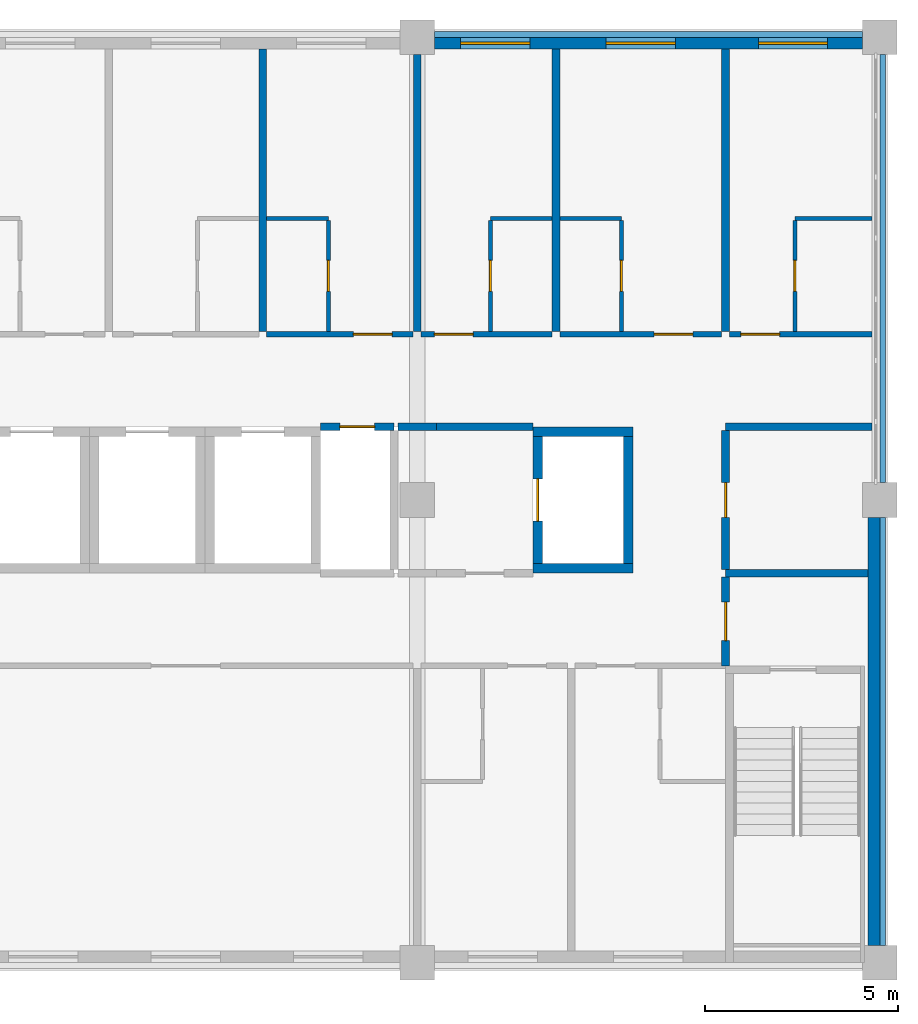
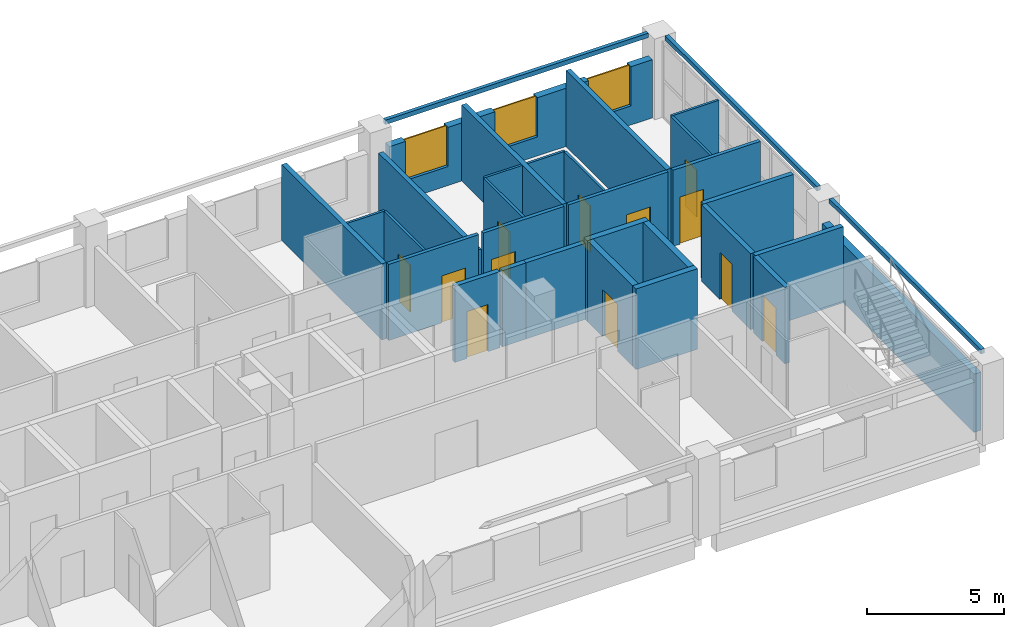
# One storey, part 9 of 11: 32 walls, 12 doors, 3 windows, 15 openings.
"""IFC4 building model written with IfcOpenShell, lengths in metres."""

from ifc_helpers import new_model, si_unit, direction, frame, frame_2d, origin, place, context, subcontext, project, spatial, rectangle, extrude, material, layer, layer_set, type_object, element, fill, save


model = new_model("IFC4")

# Units and contexts
model_context = context("Model", 3, precision=1e-05, world=origin(), true_north=direction((0.0, 1.0)))
body_context = subcontext(model_context, "Body", "Model", "MODEL_VIEW")
ifc_project = project(units=[si_unit("LENGTHUNIT", "METRE"), si_unit("AREAUNIT", "SQUARE_METRE"), si_unit("VOLUMEUNIT", "CUBIC_METRE"), si_unit("PLANEANGLEUNIT", "RADIAN"), si_unit("MASSUNIT", "GRAM", prefix="KILO")], contexts=[model_context])

# Site, building, storey
site_placement = place(None, origin())
site = spatial("IfcSite", under=ifc_project, at=site_placement, CompositionType="ELEMENT")
building_placement = place(site_placement, origin())
building = spatial("IfcBuilding", under=site, at=building_placement, Name="Lilac Gate Convention Centre", CompositionType="ELEMENT")
storey_placement = place(building_placement, frame((0.0, 0.0, 31.800048828125)))
storey = spatial("IfcBuildingStorey", under=building, at=storey_placement, Name="L07", CompositionType="ELEMENT", Elevation=31.800048828125)

# Walls
ifc_material_1 = material(Name="Concrete C50", Category="concrete")
ifc_layer_1 = layer(ifc_material_1, 0.25)
ifc_layer_set_1 = layer_set([ifc_layer_1], Name="Concrete C50")
wall_type_1 = type_object("IfcWallType", Name="Core wall 250 C50", PredefinedType="SHEAR", material=ifc_layer_set_1)
for number, where, z_axis, x_axis, name in (
    (1, (81.0, 232.22509765625, 0.0), (0.0, 0.0, 1.0), (1.0, 0.0, 0.0), "CRW4 core wall TC L07 33"),
    (2, (81.0, 235.77490234375, 0.0), (0.0, 0.0, 1.0), (1.0, 0.0, 0.0), "CRW4 core wall TC L07 34"),
):
    element("IfcWall", number, at=place(storey_placement, frame(where, z_axis=z_axis, x_axis=x_axis)), inside=storey, type_object=wall_type_1, Name=name, PredefinedType="SHEAR", context=body_context, shape_type="SweptSolid", body=[
        extrude(rectangle(XDim=2.60009765625, YDim=0.25, at=frame_2d((1.300048828125, 0.0))), origin(), (0.0, 0.0, 1.0), 3.599853515625),
    ])

# Wall, opening, door
wall_1_placement = place(storey_placement, frame((81.125, 232.35009765625, 0.0), z_axis=(0.0, 0.0, 1.0), x_axis=(0.0, 1.0, 0.0)))
wall_1 = element("IfcWall", 3, at=wall_1_placement, inside=storey, type_object=wall_type_1, Name="CRW4 core wall TC L07 35", PredefinedType="SHEAR", context=body_context, shape_type="SweptSolid", body=[
    extrude(rectangle(XDim=3.2998046875, YDim=0.25, at=frame_2d((1.64990234375, 0.0))), origin(), (0.0, 0.0, 1.0), 3.599853515625),
])
opening_1_placement = place(wall_1_placement, frame((1.10009765625, 0.0, 0.0)))
opening_1 = element("IfcOpeningElement", 4, at=opening_1_placement, cuts=wall_1, Name="Opening T07-044", PredefinedType="OPENING", context=body_context, shape_type="SweptSolid", body=[
    extrude(rectangle(XDim=1.10009765625, YDim=2.10009765625, at=frame_2d((0.550048828125, 1.050048828125))), frame((0.0, 0.135009765625, 0.0), z_axis=(0.0, -1.0, 0.0), x_axis=(1.0, 0.0, 0.0)), (0.0, 0.0, 1.0), 0.27001953125),
])
ifc_material_2 = material(Name="Stainless steel 304", Category="steel")
door_type_1 = type_object("IfcDoorType", Name="Lift landing door 1100", OperationType="SLIDING_TO_LEFT", PredefinedType="DOOR", material=ifc_material_2)
door_1_placement = place(opening_1_placement, origin())
door_1 = element("IfcDoor", 5, at=door_1_placement, inside=storey, type_object=door_type_1, Name="Lift landing door TF1 L07", OperationType="SLIDING_TO_LEFT", OverallHeight=2.10009765625, OverallWidth=1.10009765625, PredefinedType="DOOR", context=body_context, shape_type="SweptSolid", body=[
    extrude(rectangle(XDim=1.10009765625, YDim=2.10009765625, at=frame_2d((0.550048828125, 1.050048828125))), frame((0.0, 0.02490234375, 0.0), z_axis=(0.0, -1.0, 0.0), x_axis=(1.0, 0.0, 0.0)), (0.0, 0.0, 1.0), 0.050048828125),
])
fill(opening_1, door_1)

# Wall
wall_2_placement = place(storey_placement, frame((83.47509765625, 232.35009765625, 0.0), z_axis=(0.0, 0.0, 1.0), x_axis=(0.0, 1.0, 0.0)))
element("IfcWall", 6, at=wall_2_placement, inside=storey, type_object=wall_type_1, Name="CRW4 core wall TC L07 36", PredefinedType="SHEAR", context=body_context, shape_type="SweptSolid", body=[
    extrude(rectangle(XDim=3.2998046875, YDim=0.25, at=frame_2d((1.64990234375, 0.0))), origin(), (0.0, 0.0, 1.0), 3.599853515625),
])

# Wall, opening, door
ifc_material_3 = material(Name="Gypsum board on steel stud", Category="steel")
ifc_layer_2 = layer(ifc_material_3, 0.14990234375)
ifc_layer_set_2 = layer_set([ifc_layer_2], Name="Gypsum board on steel stud")
wall_type_2 = type_object("IfcWallType", Name="Corridor wall 150", PredefinedType="PARTITIONING", material=ifc_layer_set_2)
wall_3_placement = place(storey_placement, frame((74.10009765625, 238.300048828125, 0.0), z_axis=(0.0, 0.0, 1.0), x_axis=(1.0, 0.0, 0.0)))
wall_3 = element("IfcWall", 7, at=wall_3_placement, inside=storey, type_object=wall_type_2, Name="Corridor wall 150 front 0713", PredefinedType="PARTITIONING", context=body_context, shape_type="SweptSolid", body=[
    extrude(rectangle(XDim=3.7998046875, YDim=0.14990234375, at=frame_2d((1.89990234375, 0.0))), origin(), (0.0, 0.0, 1.0), 3.39990234375),
])
opening_2_placement = place(wall_3_placement, frame((2.25, 0.0, 0.0)))
opening_2 = element("IfcOpeningElement", 8, at=opening_2_placement, cuts=wall_3, Name="Opening T07-028", PredefinedType="OPENING", context=body_context, shape_type="SweptSolid", body=[
    extrude(rectangle(XDim=1.0, YDim=2.10009765625, at=frame_2d((0.5, 1.050048828125))), frame((0.0, 0.0849609375, 0.0), z_axis=(0.0, -1.0, 0.0), x_axis=(1.0, 0.0, 0.0)), (0.0, 0.0, 1.0), 0.169921875),
])
ifc_material_4 = material(Name="Timber", Category="wood")
door_type_2 = type_object("IfcDoorType", Name="Guest room entrance door 1000", OperationType="SINGLE_SWING_LEFT", PredefinedType="DOOR", material=ifc_material_4)
door_2_placement = place(opening_2_placement, origin())
door_2 = element("IfcDoor", 9, at=door_2_placement, inside=storey, type_object=door_type_2, Name="Guest room door 0713", OperationType="SINGLE_SWING_LEFT", OverallHeight=2.10009765625, OverallWidth=1.0, PredefinedType="DOOR", context=body_context, shape_type="SweptSolid", body=[
    extrude(rectangle(XDim=1.0, YDim=2.10009765625, at=frame_2d((0.5, 1.050048828125))), frame((0.0, 0.02490234375, 0.0), z_axis=(0.0, -1.0, 0.0), x_axis=(1.0, 0.0, 0.0)), (0.0, 0.0, 1.0), 0.050048828125),
])
fill(opening_2, door_2)

wall_4_placement = place(storey_placement, frame((78.10009765625, 238.300048828125, 0.0), z_axis=(0.0, 0.0, 1.0), x_axis=(1.0, 0.0, 0.0)))
wall_4 = element("IfcWall", 10, at=wall_4_placement, inside=storey, type_object=wall_type_2, Name="Corridor wall 150 front 0714", PredefinedType="PARTITIONING", context=body_context, shape_type="SweptSolid", body=[
    extrude(rectangle(XDim=3.39990234375, YDim=0.14990234375, at=frame_2d((1.699951171875, 0.0))), origin(), (0.0, 0.0, 1.0), 3.39990234375),
])
opening_3_placement = place(wall_4_placement, frame((0.35009765625, 0.0, 0.0)))
opening_3 = element("IfcOpeningElement", 11, at=opening_3_placement, cuts=wall_4, Name="Opening T07-030", PredefinedType="OPENING", context=body_context, shape_type="SweptSolid", body=[
    extrude(rectangle(XDim=1.0, YDim=2.10009765625, at=frame_2d((0.5, 1.050048828125))), frame((0.0, 0.0849609375, 0.0), z_axis=(0.0, -1.0, 0.0), x_axis=(1.0, 0.0, 0.0)), (0.0, 0.0, 1.0), 0.169921875),
])
door_3_placement = place(opening_3_placement, origin())
door_3 = element("IfcDoor", 12, at=door_3_placement, inside=storey, type_object=door_type_2, Name="Guest room door 0714", OperationType="SINGLE_SWING_LEFT", OverallHeight=2.10009765625, OverallWidth=1.0, PredefinedType="DOOR", context=body_context, shape_type="SweptSolid", body=[
    extrude(rectangle(XDim=1.0, YDim=2.10009765625, at=frame_2d((0.5, 1.050048828125))), frame((0.0, 0.02490234375, 0.0), z_axis=(0.0, -1.0, 0.0), x_axis=(1.0, 0.0, 0.0)), (0.0, 0.0, 1.0), 0.050048828125),
])
fill(opening_3, door_3)

wall_5_placement = place(storey_placement, frame((81.699951171875, 238.300048828125, 0.0), z_axis=(0.0, 0.0, 1.0), x_axis=(1.0, 0.0, 0.0)))
wall_5 = element("IfcWall", 13, at=wall_5_placement, inside=storey, type_object=wall_type_2, Name="Corridor wall 150 front 0715", PredefinedType="PARTITIONING", context=body_context, shape_type="SweptSolid", body=[
    extrude(rectangle(XDim=4.199951171875, YDim=0.14990234375, at=frame_2d((2.10009765625, 0.0))), origin(), (0.0, 0.0, 1.0), 3.39990234375),
])
opening_4_placement = place(wall_5_placement, frame((2.449951171875, 0.0, 0.0)))
opening_4 = element("IfcOpeningElement", 14, at=opening_4_placement, cuts=wall_5, Name="Opening T07-032", PredefinedType="OPENING", context=body_context, shape_type="SweptSolid", body=[
    extrude(rectangle(XDim=1.0, YDim=2.10009765625, at=frame_2d((0.5, 1.050048828125))), frame((0.0, 0.0849609375, 0.0), z_axis=(0.0, -1.0, 0.0), x_axis=(1.0, 0.0, 0.0)), (0.0, 0.0, 1.0), 0.169921875),
])
door_4_placement = place(opening_4_placement, origin())
door_4 = element("IfcDoor", 15, at=door_4_placement, inside=storey, type_object=door_type_2, Name="Guest room door 0715", OperationType="SINGLE_SWING_RIGHT", OverallHeight=2.10009765625, OverallWidth=1.0, PredefinedType="DOOR", context=body_context, shape_type="SweptSolid", body=[
    extrude(rectangle(XDim=1.0, YDim=2.10009765625, at=frame_2d((0.5, 1.050048828125))), frame((0.0, 0.02490234375, 0.0), z_axis=(0.0, -1.0, 0.0), x_axis=(1.0, 0.0, 0.0)), (0.0, 0.0, 1.0), 0.050048828125),
])
fill(opening_4, door_4)

wall_6_placement = place(storey_placement, frame((86.10009765625, 238.300048828125, 0.0), z_axis=(0.0, 0.0, 1.0), x_axis=(1.0, 0.0, 0.0)))
wall_6 = element("IfcWall", 16, at=wall_6_placement, inside=storey, type_object=wall_type_2, Name="Corridor wall 150 front 0716", PredefinedType="PARTITIONING", context=body_context, shape_type="SweptSolid", body=[
    extrude(rectangle(XDim=3.69970703125, YDim=0.14990234375, at=frame_2d((1.849853515625, 0.0))), origin(), (0.0, 0.0, 1.0), 3.39990234375),
])
opening_5_placement = place(wall_6_placement, frame((0.300048828125, 0.0, 0.0)))
opening_5 = element("IfcOpeningElement", 17, at=opening_5_placement, cuts=wall_6, Name="Opening T07-034", PredefinedType="OPENING", context=body_context, shape_type="SweptSolid", body=[
    extrude(rectangle(XDim=1.0, YDim=2.10009765625, at=frame_2d((0.5, 1.050048828125))), frame((0.0, 0.0849609375, 0.0), z_axis=(0.0, -1.0, 0.0), x_axis=(1.0, 0.0, 0.0)), (0.0, 0.0, 1.0), 0.169921875),
])
door_5_placement = place(opening_5_placement, origin())
door_5 = element("IfcDoor", 18, at=door_5_placement, inside=storey, type_object=door_type_2, Name="Guest room door 0716", OperationType="SINGLE_SWING_LEFT", OverallHeight=2.10009765625, OverallWidth=1.0, PredefinedType="DOOR", context=body_context, shape_type="SweptSolid", body=[
    extrude(rectangle(XDim=1.0, YDim=2.10009765625, at=frame_2d((0.5, 1.050048828125))), frame((0.0, 0.02490234375, 0.0), z_axis=(0.0, -1.0, 0.0), x_axis=(1.0, 0.0, 0.0)), (0.0, 0.0, 1.0), 0.050048828125),
])
fill(opening_5, door_5)

# Wall
ifc_layer_3 = layer(ifc_material_3, 0.10009765625)
ifc_layer_set_3 = layer_set([ifc_layer_3], Name="Gypsum board on steel stud")
wall_type_3 = type_object("IfcWallType", Name="En-suite wall 100", PredefinedType="PARTITIONING", material=ifc_layer_set_3)
wall_7_placement = place(storey_placement, frame((74.10009765625, 241.300048828125, 0.0), z_axis=(0.0, 0.0, 1.0), x_axis=(1.0, 0.0, 0.0)))
element("IfcWall", 19, at=wall_7_placement, inside=storey, type_object=wall_type_3, Name="En-suite wall 100 bath 0713", PredefinedType="PARTITIONING", context=body_context, shape_type="SweptSolid", body=[
    extrude(rectangle(XDim=1.599853515625, YDim=0.10009765625, at=frame_2d((0.7998046875, 0.0))), origin(), (0.0, 0.0, 1.0), 3.39990234375),
])

# Wall, opening, door
wall_8_placement = place(storey_placement, frame((75.699951171875, 241.25, 0.0), z_axis=(0.0, 0.0, 1.0), x_axis=(0.0, -1.0, 0.0)))
wall_8 = element("IfcWall", 20, at=wall_8_placement, inside=storey, type_object=wall_type_3, Name="En-suite wall 100 bath side 0713", PredefinedType="PARTITIONING", context=body_context, shape_type="SweptSolid", body=[
    extrude(rectangle(XDim=2.875, YDim=0.10009765625, at=frame_2d((1.4375, 0.0))), origin(), (0.0, 0.0, 1.0), 3.39990234375),
])
opening_6_placement = place(wall_8_placement, frame((1.03759765625, 0.0, 0.0)))
opening_6 = element("IfcOpeningElement", 21, at=opening_6_placement, cuts=wall_8, Name="Opening T07-029", PredefinedType="OPENING", context=body_context, shape_type="SweptSolid", body=[
    extrude(rectangle(XDim=0.800048828125, YDim=2.10009765625, at=frame_2d((0.39990234375, 1.050048828125))), frame((0.0, 0.06005859375, 0.0), z_axis=(0.0, -1.0, 0.0), x_axis=(1.0, 0.0, 0.0)), (0.0, 0.0, 1.0), 0.1201171875),
])
door_type_3 = type_object("IfcDoorType", Name="En-suite door 800", OperationType="SINGLE_SWING_LEFT", PredefinedType="DOOR", material=ifc_material_4)
door_6_placement = place(opening_6_placement, origin())
door_6 = element("IfcDoor", 22, at=door_6_placement, inside=storey, type_object=door_type_3, Name="En-suite door 0713", OperationType="SINGLE_SWING_RIGHT", OverallHeight=2.10009765625, OverallWidth=0.800048828125, PredefinedType="DOOR", context=body_context, shape_type="SweptSolid", body=[
    extrude(rectangle(XDim=0.800048828125, YDim=2.10009765625, at=frame_2d((0.39990234375, 1.050048828125))), frame((0.0, 0.02490234375, 0.0), z_axis=(0.0, -1.0, 0.0), x_axis=(1.0, 0.0, 0.0)), (0.0, 0.0, 1.0), 0.050048828125),
])
fill(opening_6, door_6)

# Wall
wall_9_placement = place(storey_placement, frame((79.89990234375, 241.300048828125, 0.0), z_axis=(0.0, 0.0, 1.0), x_axis=(1.0, 0.0, 0.0)))
element("IfcWall", 23, at=wall_9_placement, inside=storey, type_object=wall_type_3, Name="En-suite wall 100 bath 0714", PredefinedType="PARTITIONING", context=body_context, shape_type="SweptSolid", body=[
    extrude(rectangle(XDim=1.60009765625, YDim=0.10009765625, at=frame_2d((0.800048828125, 0.0))), origin(), (0.0, 0.0, 1.0), 3.39990234375),
])

# Wall, opening, door
wall_10_placement = place(storey_placement, frame((79.89990234375, 238.375, 0.0), z_axis=(0.0, 0.0, 1.0), x_axis=(0.0, 1.0, 0.0)))
wall_10 = element("IfcWall", 24, at=wall_10_placement, inside=storey, type_object=wall_type_3, Name="En-suite wall 100 bath side 0714", PredefinedType="PARTITIONING", context=body_context, shape_type="SweptSolid", body=[
    extrude(rectangle(XDim=2.875, YDim=0.10009765625, at=frame_2d((1.4375, 0.0))), origin(), (0.0, 0.0, 1.0), 3.39990234375),
])
opening_7_placement = place(wall_10_placement, frame((1.03759765625, 0.0, 0.0)))
opening_7 = element("IfcOpeningElement", 25, at=opening_7_placement, cuts=wall_10, Name="Opening T07-031", PredefinedType="OPENING", context=body_context, shape_type="SweptSolid", body=[
    extrude(rectangle(XDim=0.800048828125, YDim=2.10009765625, at=frame_2d((0.39990234375, 1.050048828125))), frame((0.0, 0.06005859375, 0.0), z_axis=(0.0, -1.0, 0.0), x_axis=(1.0, 0.0, 0.0)), (0.0, 0.0, 1.0), 0.1201171875),
])
door_7_placement = place(opening_7_placement, origin())
door_7 = element("IfcDoor", 26, at=door_7_placement, inside=storey, type_object=door_type_3, Name="En-suite door 0714", OperationType="SINGLE_SWING_LEFT", OverallHeight=2.10009765625, OverallWidth=0.800048828125, PredefinedType="DOOR", context=body_context, shape_type="SweptSolid", body=[
    extrude(rectangle(XDim=0.800048828125, YDim=2.10009765625, at=frame_2d((0.39990234375, 1.050048828125))), frame((0.0, 0.02490234375, 0.0), z_axis=(0.0, -1.0, 0.0), x_axis=(1.0, 0.0, 0.0)), (0.0, 0.0, 1.0), 0.050048828125),
])
fill(opening_7, door_7)

# Wall
wall_11_placement = place(storey_placement, frame((81.699951171875, 241.300048828125, 0.0), z_axis=(0.0, 0.0, 1.0), x_axis=(1.0, 0.0, 0.0)))
element("IfcWall", 27, at=wall_11_placement, inside=storey, type_object=wall_type_3, Name="En-suite wall 100 bath 0715", PredefinedType="PARTITIONING", context=body_context, shape_type="SweptSolid", body=[
    extrude(rectangle(XDim=1.60009765625, YDim=0.10009765625, at=frame_2d((0.800048828125, 0.0))), origin(), (0.0, 0.0, 1.0), 3.39990234375),
])

# Wall, opening, door
wall_12_placement = place(storey_placement, frame((83.300048828125, 241.25, 0.0), z_axis=(0.0, 0.0, 1.0), x_axis=(0.0, -1.0, 0.0)))
wall_12 = element("IfcWall", 28, at=wall_12_placement, inside=storey, type_object=wall_type_3, Name="En-suite wall 100 bath side 0715", PredefinedType="PARTITIONING", context=body_context, shape_type="SweptSolid", body=[
    extrude(rectangle(XDim=2.875, YDim=0.10009765625, at=frame_2d((1.4375, 0.0))), origin(), (0.0, 0.0, 1.0), 3.39990234375),
])
opening_8_placement = place(wall_12_placement, frame((1.03759765625, 0.0, 0.0)))
opening_8 = element("IfcOpeningElement", 29, at=opening_8_placement, cuts=wall_12, Name="Opening T07-033", PredefinedType="OPENING", context=body_context, shape_type="SweptSolid", body=[
    extrude(rectangle(XDim=0.800048828125, YDim=2.10009765625, at=frame_2d((0.39990234375, 1.050048828125))), frame((0.0, 0.06005859375, 0.0), z_axis=(0.0, -1.0, 0.0), x_axis=(1.0, 0.0, 0.0)), (0.0, 0.0, 1.0), 0.1201171875),
])
door_8_placement = place(opening_8_placement, origin())
door_8 = element("IfcDoor", 30, at=door_8_placement, inside=storey, type_object=door_type_3, Name="En-suite door 0715", OperationType="SINGLE_SWING_RIGHT", OverallHeight=2.10009765625, OverallWidth=0.800048828125, PredefinedType="DOOR", context=body_context, shape_type="SweptSolid", body=[
    extrude(rectangle(XDim=0.800048828125, YDim=2.10009765625, at=frame_2d((0.39990234375, 1.050048828125))), frame((0.0, 0.02490234375, 0.0), z_axis=(0.0, -1.0, 0.0), x_axis=(1.0, 0.0, 0.0)), (0.0, 0.0, 1.0), 0.050048828125),
])
fill(opening_8, door_8)

# Wall
wall_13_placement = place(storey_placement, frame((87.800048828125, 241.300048828125, 0.0), z_axis=(0.0, 0.0, 1.0), x_axis=(1.0, 0.0, 0.0)))
element("IfcWall", 31, at=wall_13_placement, inside=storey, type_object=wall_type_3, Name="En-suite wall 100 bath 0716", PredefinedType="PARTITIONING", context=body_context, shape_type="SweptSolid", body=[
    extrude(rectangle(XDim=1.999755859375, YDim=0.10009765625, at=frame_2d((1.0, 0.0))), origin(), (0.0, 0.0, 1.0), 3.39990234375),
])

# Wall, opening, door
wall_14_placement = place(storey_placement, frame((87.800048828125, 238.375, 0.0), z_axis=(0.0, 0.0, 1.0), x_axis=(0.0, 1.0, 0.0)))
wall_14 = element("IfcWall", 32, at=wall_14_placement, inside=storey, type_object=wall_type_3, Name="En-suite wall 100 bath side 0716", PredefinedType="PARTITIONING", context=body_context, shape_type="SweptSolid", body=[
    extrude(rectangle(XDim=2.875, YDim=0.10009765625, at=frame_2d((1.4375, 0.0))), origin(), (0.0, 0.0, 1.0), 3.39990234375),
])
opening_9_placement = place(wall_14_placement, frame((1.03759765625, 0.0, 0.0)))
opening_9 = element("IfcOpeningElement", 33, at=opening_9_placement, cuts=wall_14, Name="Opening T07-035", PredefinedType="OPENING", context=body_context, shape_type="SweptSolid", body=[
    extrude(rectangle(XDim=0.800048828125, YDim=2.10009765625, at=frame_2d((0.39990234375, 1.050048828125))), frame((0.0, 0.06005859375, 0.0), z_axis=(0.0, -1.0, 0.0), x_axis=(1.0, 0.0, 0.0)), (0.0, 0.0, 1.0), 0.1201171875),
])
door_9_placement = place(opening_9_placement, origin())
door_9 = element("IfcDoor", 34, at=door_9_placement, inside=storey, type_object=door_type_3, Name="En-suite door 0716", OperationType="SINGLE_SWING_LEFT", OverallHeight=2.10009765625, OverallWidth=0.800048828125, PredefinedType="DOOR", context=body_context, shape_type="SweptSolid", body=[
    extrude(rectangle(XDim=0.800048828125, YDim=2.10009765625, at=frame_2d((0.39990234375, 1.050048828125))), frame((0.0, 0.02490234375, 0.0), z_axis=(0.0, -1.0, 0.0), x_axis=(1.0, 0.0, 0.0)), (0.0, 0.0, 1.0), 0.050048828125),
])
fill(opening_9, door_9)

# Walls
ifc_layer_4 = layer(ifc_material_3, 0.199951171875)
ifc_layer_set_4 = layer_set([ifc_layer_4], Name="Gypsum board on steel stud")
wall_type_4 = type_object("IfcWallType", Name="Guest room party wall 200", PredefinedType="PARTITIONING", material=ifc_layer_set_4)
wall_15_placement = place(storey_placement, frame((74.0, 245.7001953125, 0.0), z_axis=(0.0, 0.0, 1.0), x_axis=(0.0, -1.0, 0.0)))
element("IfcWall", 35, at=wall_15_placement, inside=storey, type_object=wall_type_4, Name="Guest room party wall 200 party 74.0", PredefinedType="PARTITIONING", context=body_context, shape_type="SweptSolid", body=[
    extrude(rectangle(XDim=7.3251953125, YDim=0.199951171875, at=frame_2d((3.66259765625, 0.0))), origin(), (0.0, 0.0, 1.0), 3.39990234375),
])
wall_16_placement = place(storey_placement, frame((78.0, 245.550048828125, 0.0), z_axis=(0.0, 0.0, 1.0), x_axis=(0.0, -1.0, 0.0)))
element("IfcWall", 36, at=wall_16_placement, inside=storey, type_object=wall_type_4, Name="Guest room party wall 200 party 78.0", PredefinedType="PARTITIONING", context=body_context, shape_type="SweptSolid", body=[
    extrude(rectangle(XDim=7.175048828125, YDim=0.199951171875, at=frame_2d((3.58740234375, 0.0))), origin(), (0.0, 0.0, 1.0), 2.599853515625),
])
for number, where, z_axis, x_axis, name in (
    (37, (81.60009765625, 245.7001953125, 0.0), (0.0, 0.0, 1.0), (0.0, -1.0, 0.0), "Guest room party wall 200 party 81.6"),
    (38, (86.0, 245.7001953125, 0.0), (0.0, 0.0, 1.0), (0.0, -1.0, 0.0), "Guest room party wall 200 party 86.0"),
):
    element("IfcWall", number, at=place(storey_placement, frame(where, z_axis=z_axis, x_axis=x_axis)), inside=storey, type_object=wall_type_4, Name=name, PredefinedType="PARTITIONING", context=body_context, shape_type="SweptSolid", body=[
        extrude(rectangle(XDim=7.3251953125, YDim=0.199951171875, at=frame_2d((3.66259765625, 0.0))), origin(), (0.0, 0.0, 1.0), 3.39990234375),
    ])
ifc_layer_5 = layer(ifc_material_3, 0.199951171875)
ifc_layer_set_5 = layer_set([ifc_layer_5], Name="Gypsum board on steel stud")
wall_type_5 = type_object("IfcWallType", Name="Lobby wall 200", PredefinedType="PARTITIONING", material=ifc_layer_set_5)
wall_17_placement = place(storey_placement, frame((86.0, 232.10009765625, 0.0), z_axis=(0.0, 0.0, 1.0), x_axis=(1.0, 0.0, 0.0)))
element("IfcWall", 39, at=wall_17_placement, inside=storey, type_object=wall_type_5, Name="Lobby wall 200 STL-N", PredefinedType="PARTITIONING", context=body_context, shape_type="SweptSolid", body=[
    extrude(rectangle(XDim=3.7001953125, YDim=0.199951171875, at=frame_2d((1.85009765625, 0.0))), origin(), (0.0, 0.0, 1.0), 3.39990234375),
])
wall_18_placement = place(storey_placement, frame((78.5, 235.89990234375, 0.0), z_axis=(0.0, 0.0, 1.0), x_axis=(1.0, 0.0, 0.0)))
element("IfcWall", 40, at=wall_18_placement, inside=storey, type_object=wall_type_5, Name="Lobby wall 200 FFL-N", PredefinedType="PARTITIONING", context=body_context, shape_type="SweptSolid", body=[
    extrude(rectangle(XDim=2.5, YDim=0.199951171875, at=frame_2d((1.25, 0.0))), origin(), (0.0, 0.0, 1.0), 3.39990234375),
])

# Wall, opening, door
wall_19_placement = place(storey_placement, frame((86.0, 232.0, 0.0), z_axis=(0.0, 0.0, 1.0), x_axis=(0.0, -1.0, 0.0)))
wall_19 = element("IfcWall", 41, at=wall_19_placement, inside=storey, type_object=wall_type_5, Name="Lobby wall 200 STL-SE-W", PredefinedType="PARTITIONING", context=body_context, shape_type="SweptSolid", body=[
    extrude(rectangle(XDim=2.300048828125, YDim=0.199951171875, at=frame_2d((1.14990234375, 0.0))), origin(), (0.0, 0.0, 1.0), 3.39990234375),
])
opening_10_placement = place(wall_19_placement, frame((0.64990234375, 0.0, 0.0)))
opening_10 = element("IfcOpeningElement", 42, at=opening_10_placement, cuts=wall_19, Name="Opening T07-007", PredefinedType="OPENING", context=body_context, shape_type="SweptSolid", body=[
    extrude(rectangle(XDim=1.0, YDim=2.10009765625, at=frame_2d((0.5, 1.050048828125))), frame((0.0, 0.10986328125, 0.0), z_axis=(0.0, -1.0, 0.0), x_axis=(1.0, 0.0, 0.0)), (0.0, 0.0, 1.0), 0.219970703125),
])
ifc_material_5 = material(Name="Steel Q235B", Category="steel")
door_type_4 = type_object("IfcDoorType", Name="Lobby door 1000", OperationType="SINGLE_SWING_LEFT", PredefinedType="DOOR", material=ifc_material_5)
door_10_placement = place(opening_10_placement, origin())
door_10 = element("IfcDoor", 43, at=door_10_placement, inside=storey, type_object=door_type_4, Name="Stair lobby door SE", OperationType="SINGLE_SWING_LEFT", OverallHeight=2.10009765625, OverallWidth=1.0, PredefinedType="DOOR", context=body_context, shape_type="SweptSolid", body=[
    extrude(rectangle(XDim=1.0, YDim=2.10009765625, at=frame_2d((0.5, 1.050048828125))), frame((0.0, 0.02490234375, 0.0), z_axis=(0.0, -1.0, 0.0), x_axis=(1.0, 0.0, 0.0)), (0.0, 0.0, 1.0), 0.050048828125),
])
fill(opening_10, door_10)

# Walls
ifc_material_6 = material(Name="Concrete C40 precast", Category="concrete")
ifc_layer_6 = layer(ifc_material_6, 0.1298828125)
ifc_material_7 = material(Name="Terracotta glazed cladding", Category="masonry")
ifc_layer_7 = layer(ifc_material_7, 0.02001953125)
ifc_layer_set_6 = layer_set([ifc_layer_6, ifc_layer_7], Name="Concrete C40 precast, Terracotta glazed cladding")
wall_type_6 = type_object("IfcWallType", Name="Precast band terracotta 150", PredefinedType="STANDARD", material=ifc_layer_set_6)
for number, where, z_axis, x_axis, name in (
    (44, (90.074951171875, 222.449951171875, 3.39990234375), (0.0, 0.0, 1.0), (0.0, 1.0, 0.0), "Precast band E L07 1"),
    (45, (90.074951171875, 234.449951171875, 3.39990234375), (0.0, 0.0, 1.0), (0.0, 1.0, 0.0), "Precast band E L07 2"),
    (46, (89.550048828125, 246.074951171875, 3.39990234375), (0.0, 0.0, 1.0), (-1.0, 0.0, 0.0), "Precast band N L07 1"),
):
    element("IfcWall", number, at=place(storey_placement, frame(where, z_axis=z_axis, x_axis=x_axis)), inside=storey, type_object=wall_type_6, Name=name, PredefinedType="STANDARD", context=body_context, shape_type="SweptSolid", body=[
        extrude(rectangle(XDim=11.10009765625, YDim=0.14990234375, at=frame_2d((5.550048828125, 0.0))), origin(), (0.0, 0.0, 1.0), 0.199951171875),
    ])
ifc_layer_8 = layer(ifc_material_7, 0.02001953125)
ifc_layer_9 = layer(ifc_material_6, 0.06005859375)
ifc_material_8 = material(Name="Ventilated air cavity")
ifc_layer_10 = layer(ifc_material_8, 0.030029296875)
ifc_material_9 = material(Name="Mineral wool insulation")
ifc_layer_11 = layer(ifc_material_9, 0.1201171875)
ifc_material_10 = material(Name="Steel stud Q345 and gypsum lining", Category="steel")
ifc_layer_12 = layer(ifc_material_10, 0.070068359375)
ifc_layer_set_7 = layer_set([ifc_layer_8, ifc_layer_9, ifc_layer_10, ifc_layer_11, ifc_layer_12], Name="Terracotta glazed cladding, Concrete C40 precast, Ventilated air cavity, Mineral wool insulation, Steel stud Q345 and gypsum lining")
wall_type_7 = type_object("IfcWallType", Name="Precast panel wall terracotta 300", PredefinedType="STANDARD", material=ifc_layer_set_7)
wall_20_placement = place(storey_placement, frame((89.85009765625, 222.449951171875, 0.0), z_axis=(0.0, 0.0, 1.0), x_axis=(0.0, 1.0, 0.0)))
element("IfcWall", 47, at=wall_20_placement, inside=storey, type_object=wall_type_7, Name="External wall E L07 1", PredefinedType="STANDARD", context=body_context, shape_type="SweptSolid", body=[
    extrude(rectangle(XDim=11.10009765625, YDim=0.300048828125, at=frame_2d((5.550048828125, 0.0))), origin(), (0.0, 0.0, 1.0), 2.599853515625),
])

# Wall, openings, windows
wall_21_placement = place(storey_placement, frame((89.550048828125, 245.85009765625, 0.0), z_axis=(0.0, 0.0, 1.0), x_axis=(-1.0, 0.0, 0.0)))
wall_21 = element("IfcWall", 48, at=wall_21_placement, inside=storey, type_object=wall_type_7, Name="External wall N L07 1", PredefinedType="STANDARD", context=body_context, shape_type="SweptSolid", body=[
    extrude(rectangle(XDim=11.10009765625, YDim=0.300048828125, at=frame_2d((5.550048828125, 0.0))), origin(), (0.0, 0.0, 1.0), 2.599853515625),
])
opening_11_placement = place(wall_21_placement, frame((8.625, 0.0, 0.85009765625)))
opening_11 = element("IfcOpeningElement", 49, at=opening_11_placement, cuts=wall_21, Name="Opening W1", PredefinedType="OPENING", context=body_context, shape_type="SweptSolid", body=[
    extrude(rectangle(XDim=1.800048828125, YDim=1.75, at=frame_2d((0.89990234375, 0.875))), frame((0.0, 0.159912109375, 0.0), z_axis=(0.0, -1.0, 0.0), x_axis=(1.0, 0.0, 0.0)), (0.0, 0.0, 1.0), 0.320068359375),
])
opening_12_placement = place(wall_21_placement, frame((4.85009765625, 0.0, 0.85009765625)))
opening_12 = element("IfcOpeningElement", 50, at=opening_12_placement, cuts=wall_21, Name="Opening W1", PredefinedType="OPENING", context=body_context, shape_type="SweptSolid", body=[
    extrude(rectangle(XDim=1.800048828125, YDim=1.75, at=frame_2d((0.89990234375, 0.875))), frame((0.0, 0.159912109375, 0.0), z_axis=(0.0, -1.0, 0.0), x_axis=(1.0, 0.0, 0.0)), (0.0, 0.0, 1.0), 0.320068359375),
])
opening_13_placement = place(wall_21_placement, frame((0.89990234375, 0.0, 0.85009765625)))
opening_13 = element("IfcOpeningElement", 51, at=opening_13_placement, cuts=wall_21, Name="Opening W1", PredefinedType="OPENING", context=body_context, shape_type="SweptSolid", body=[
    extrude(rectangle(XDim=1.800048828125, YDim=1.75, at=frame_2d((0.89990234375, 0.875))), frame((0.0, 0.159912109375, 0.0), z_axis=(0.0, -1.0, 0.0), x_axis=(1.0, 0.0, 0.0)), (0.0, 0.0, 1.0), 0.320068359375),
])
ifc_material_11 = material(Name="Aluminium framed double glazing", Category="aluminium")
window_type = type_object("IfcWindowType", Name="Guest room window 1800 x 1750", PartitioningType="DOUBLE_PANEL_VERTICAL", PredefinedType="WINDOW", material=ifc_material_11)
window_1_placement = place(opening_11_placement, origin())
window_1 = element("IfcWindow", 52, at=window_1_placement, inside=storey, type_object=window_type, Name="Window Guest N L07", OverallHeight=1.75, OverallWidth=1.800048828125, PartitioningType="SINGLE_PANEL", PredefinedType="WINDOW", context=body_context, shape_type="SweptSolid", body=[
    extrude(rectangle(XDim=1.800048828125, YDim=1.75, at=frame_2d((0.89990234375, 0.875))), frame((0.0, 0.030029296875, 0.0), z_axis=(0.0, -1.0, 0.0), x_axis=(1.0, 0.0, 0.0)), (0.0, 0.0, 1.0), 0.06005859375),
])
fill(opening_11, window_1)
window_2_placement = place(opening_12_placement, origin())
window_2 = element("IfcWindow", 53, at=window_2_placement, inside=storey, type_object=window_type, Name="Window Guest N L07", OverallHeight=1.75, OverallWidth=1.800048828125, PartitioningType="SINGLE_PANEL", PredefinedType="WINDOW", context=body_context, shape_type="SweptSolid", body=[
    extrude(rectangle(XDim=1.800048828125, YDim=1.75, at=frame_2d((0.89990234375, 0.875))), frame((0.0, 0.030029296875, 0.0), z_axis=(0.0, -1.0, 0.0), x_axis=(1.0, 0.0, 0.0)), (0.0, 0.0, 1.0), 0.06005859375),
])
fill(opening_12, window_2)
window_3_placement = place(opening_13_placement, origin())
window_3 = element("IfcWindow", 54, at=window_3_placement, inside=storey, type_object=window_type, Name="Window Guest N L07", OverallHeight=1.75, OverallWidth=1.800048828125, PartitioningType="SINGLE_PANEL", PredefinedType="WINDOW", context=body_context, shape_type="SweptSolid", body=[
    extrude(rectangle(XDim=1.800048828125, YDim=1.75, at=frame_2d((0.89990234375, 0.875))), frame((0.0, 0.030029296875, 0.0), z_axis=(0.0, -1.0, 0.0), x_axis=(1.0, 0.0, 0.0)), (0.0, 0.0, 1.0), 0.06005859375),
])
fill(opening_13, window_3)

# Wall, opening, door
ifc_layer_13 = layer(ifc_material_3, 0.199951171875)
ifc_layer_set_8 = layer_set([ifc_layer_13], Name="Gypsum board on steel stud")
wall_type_8 = type_object("IfcWallType", Name="Riser and store wall 200", PredefinedType="PARTITIONING", material=ifc_layer_set_8)
wall_22_placement = place(storey_placement, frame((77.39990234375, 235.89990234375, 0.0), z_axis=(0.0, 0.0, 1.0), x_axis=(-1.0, 0.0, 0.0)))
wall_22 = element("IfcWall", 55, at=wall_22_placement, inside=storey, type_object=wall_type_8, Name="Riser and store wall 200 RS2-N", PredefinedType="PARTITIONING", context=body_context, shape_type="SweptSolid", body=[
    extrude(rectangle(XDim=1.89990234375, YDim=0.199951171875, at=frame_2d((0.949951171875, 0.0))), origin(), (0.0, 0.0, 1.0), 3.39990234375),
])
opening_14_placement = place(wall_22_placement, frame((0.5, 0.0, 0.0)))
opening_14 = element("IfcOpeningElement", 56, at=opening_14_placement, cuts=wall_22, Name="Opening T07-003", PredefinedType="OPENING", context=body_context, shape_type="SweptSolid", body=[
    extrude(rectangle(XDim=0.89990234375, YDim=2.10009765625, at=frame_2d((0.449951171875, 1.050048828125))), frame((0.0, 0.10986328125, 0.0), z_axis=(0.0, -1.0, 0.0), x_axis=(1.0, 0.0, 0.0)), (0.0, 0.0, 1.0), 0.219970703125),
])
door_type_5 = type_object("IfcDoorType", Name="Riser and store door 900", OperationType="SINGLE_SWING_LEFT", PredefinedType="DOOR", material=ifc_material_5)
door_11_placement = place(opening_14_placement, origin())
door_11 = element("IfcDoor", 57, at=door_11_placement, inside=storey, type_object=door_type_5, Name="Riser room door", OperationType="SINGLE_SWING_LEFT", OverallHeight=2.10009765625, OverallWidth=0.89990234375, PredefinedType="DOOR", context=body_context, shape_type="SweptSolid", body=[
    extrude(rectangle(XDim=0.89990234375, YDim=2.10009765625, at=frame_2d((0.449951171875, 1.050048828125))), frame((0.0, 0.02490234375, 0.0), z_axis=(0.0, -1.0, 0.0), x_axis=(1.0, 0.0, 0.0)), (0.0, 0.0, 1.0), 0.050048828125),
])
fill(opening_14, door_11)

# Walls
wall_23_placement = place(storey_placement, frame((77.5, 235.89990234375, 0.0), z_axis=(0.0, 0.0, 1.0), x_axis=(1.0, 0.0, 0.0)))
element("IfcWall", 58, at=wall_23_placement, inside=storey, type_object=wall_type_8, Name="Riser and store wall 200 NICHE3-N", PredefinedType="PARTITIONING", context=body_context, shape_type="SweptSolid", body=[
    extrude(rectangle(XDim=1.0, YDim=0.199951171875, at=frame_2d((0.5, 0.0))), origin(), (0.0, 0.0, 1.0), 3.39990234375),
])
wall_24_placement = place(storey_placement, frame((86.0, 235.89990234375, 0.0), z_axis=(0.0, 0.0, 1.0), x_axis=(1.0, 0.0, 0.0)))
element("IfcWall", 59, at=wall_24_placement, inside=storey, type_object=wall_type_8, Name="Riser and store wall 200 STE-N", PredefinedType="PARTITIONING", context=body_context, shape_type="SweptSolid", body=[
    extrude(rectangle(XDim=3.7998046875, YDim=0.199951171875, at=frame_2d((1.89990234375, 0.0))), origin(), (0.0, 0.0, 1.0), 3.39990234375),
])

# Wall, opening, door
wall_25_placement = place(storey_placement, frame((86.0, 235.800048828125, 0.0), z_axis=(0.0, 0.0, 1.0), x_axis=(0.0, -1.0, 0.0)))
wall_25 = element("IfcWall", 60, at=wall_25_placement, inside=storey, type_object=wall_type_8, Name="Riser and store wall 200 STE-W", PredefinedType="PARTITIONING", context=body_context, shape_type="SweptSolid", body=[
    extrude(rectangle(XDim=3.60009765625, YDim=0.199951171875, at=frame_2d((1.800048828125, 0.0))), origin(), (0.0, 0.0, 1.0), 3.39990234375),
])
opening_15_placement = place(wall_25_placement, frame((1.35009765625, 0.0, 0.0)))
opening_15 = element("IfcOpeningElement", 61, at=opening_15_placement, cuts=wall_25, Name="Opening T07-005", PredefinedType="OPENING", context=body_context, shape_type="SweptSolid", body=[
    extrude(rectangle(XDim=0.89990234375, YDim=2.10009765625, at=frame_2d((0.449951171875, 1.050048828125))), frame((0.0, 0.10986328125, 0.0), z_axis=(0.0, -1.0, 0.0), x_axis=(1.0, 0.0, 0.0)), (0.0, 0.0, 1.0), 0.219970703125),
])
door_12_placement = place(opening_15_placement, origin())
door_12 = element("IfcDoor", 62, at=door_12_placement, inside=storey, type_object=door_type_5, Name="Linen store door", OperationType="SINGLE_SWING_LEFT", OverallHeight=2.10009765625, OverallWidth=0.89990234375, PredefinedType="DOOR", context=body_context, shape_type="SweptSolid", body=[
    extrude(rectangle(XDim=0.89990234375, YDim=2.10009765625, at=frame_2d((0.449951171875, 1.050048828125))), frame((0.0, 0.02490234375, 0.0), z_axis=(0.0, -1.0, 0.0), x_axis=(1.0, 0.0, 0.0)), (0.0, 0.0, 1.0), 0.050048828125),
])
fill(opening_15, door_12)

save(model, "model.ifc")
